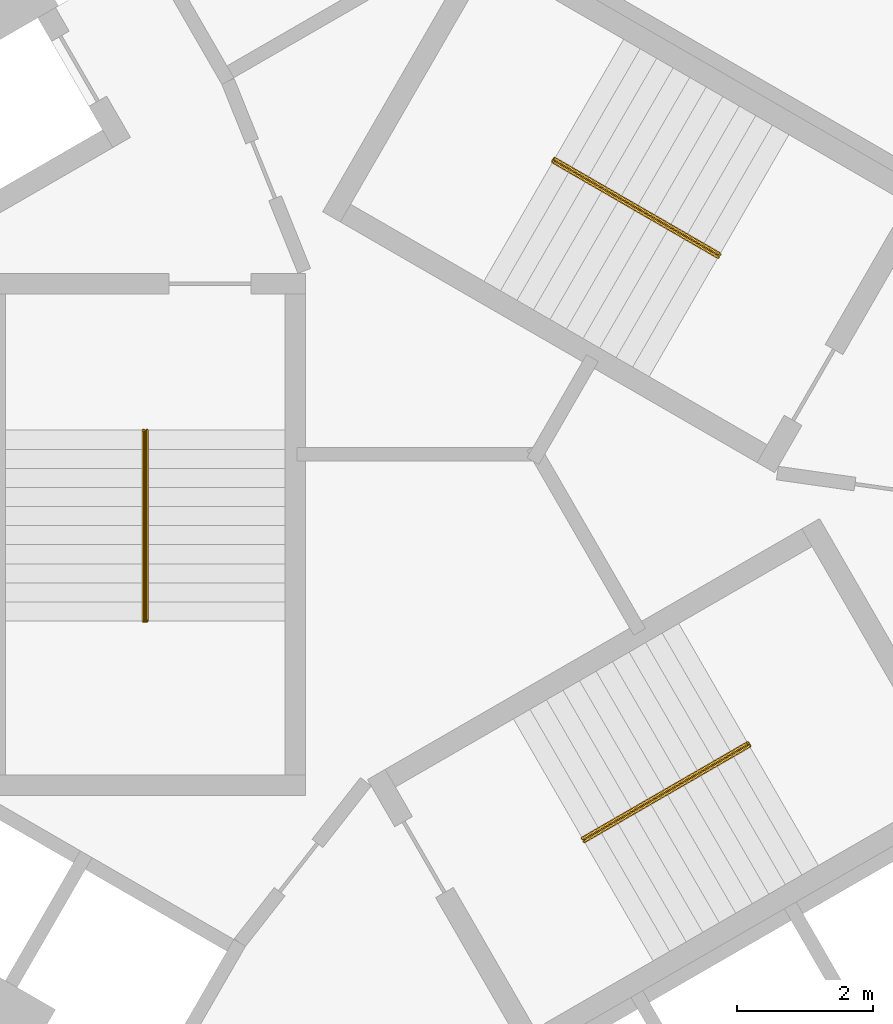
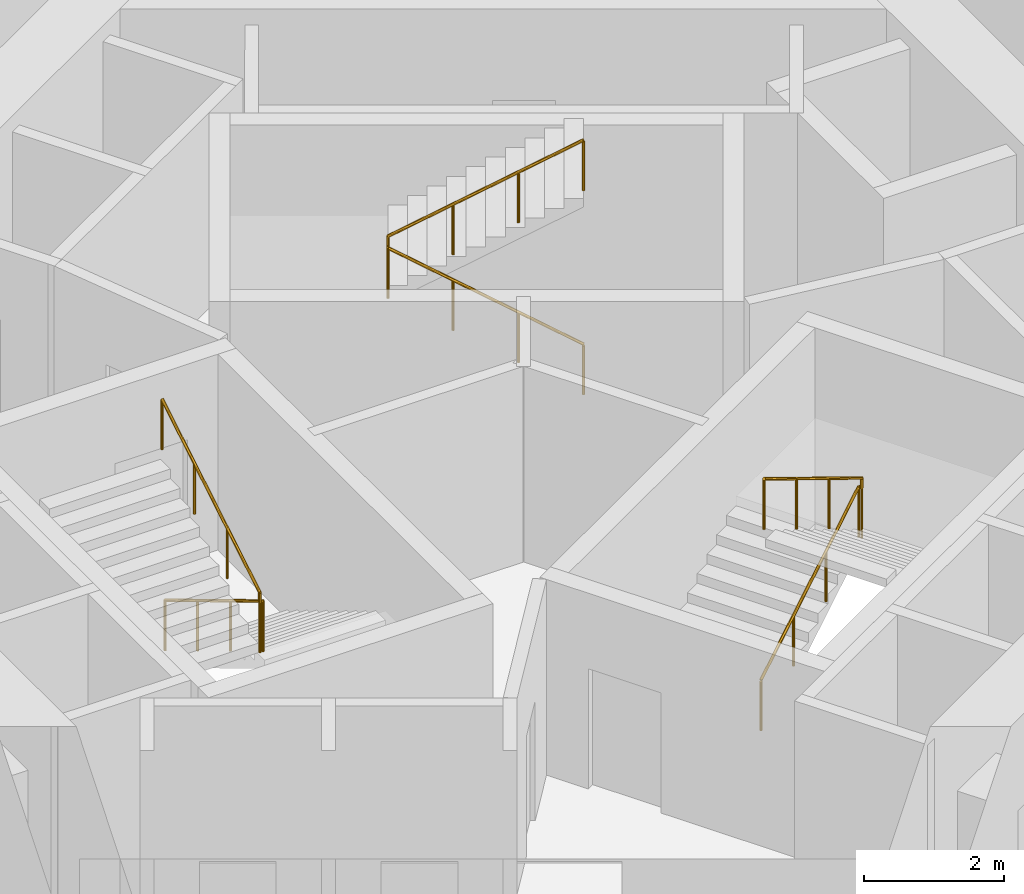
# One storey, part 11 of 11: 3 railings.
"""IFC4 building model written with IfcOpenShell, lengths in metres."""

import ifcopenshell
import ifcopenshell.guid

model = None  # the IFC model being written
_history = None  # IfcOwnerHistory: only IFC2X3 demands one
_inside = {}  # id of a spatial element -> (the spatial element, [elements in it])
_under = {}  # id of a project, library or spatial element -> (it, [spatial elements below it])
_declared = {}  # id of a project -> (the project, [libraries it declares])
_typed = {}  # id of a type object -> (the type object, [elements of that type])
_made_of = {}  # id of a material, layer set ... -> (it, [elements and type objects made of it])


def new_model(schema):
    """Start an empty IFC model of exactly this schema.

    Asked for "IFC4X3", IfcOpenShell would pick the latest addendum, in which some entities
    have other attributes; the version numbers below select the first issue.
    IFC2X3 requires an IfcOwnerHistory on every rooted entity: one is made here for all.
    """
    global model, _history
    if schema == "IFC4X3":
        model = ifcopenshell.file(schema_version=(4, 3, 0, 0))
    else:
        model = ifcopenshell.file(schema=schema)
    _inside.clear()
    _under.clear()
    _declared.clear()
    _typed.clear()
    _made_of.clear()
    _history = None
    if model.schema == "IFC2X3":
        org = make("IfcOrganization", Name="unknown")
        user = make(
            "IfcPersonAndOrganization",
            ThePerson=make("IfcPerson", FamilyName="unknown"),
            TheOrganization=org,
        )
        app = make(
            "IfcApplication",
            ApplicationDeveloper=org,
            Version="unknown",
            ApplicationFullName="unknown",
            ApplicationIdentifier="unknown",
        )
        _history = make(
            "IfcOwnerHistory",
            OwningUser=user,
            OwningApplication=app,
            ChangeAction="ADDED",
            CreationDate=0,
        )
    return model


def make(cls, **values):
    """One entity of the class cls with the attributes given. An attribute that is None is left unset."""
    return model.create_entity(
        cls, **{name: value for name, value in values.items() if value is not None}
    )


def rooted(cls, **values):
    """An entity with a GlobalId (a new one), such as an element, a storey or a relation."""
    return make(cls, GlobalId=ifcopenshell.guid.new(), OwnerHistory=_history, **values)


def si_unit(unit_type, name, prefix=None):
    """IfcSIUnit, for example si_unit("LENGTHUNIT", "METRE", prefix="MILLI")."""
    return make("IfcSIUnit", UnitType=unit_type, Prefix=prefix, Name=name)


def assignment(units):
    """IfcUnitAssignment: the units of a project."""
    return None if units is None else make("IfcUnitAssignment", Units=units)


def point(xyz):
    """IfcCartesianPoint."""
    return None if xyz is None else make("IfcCartesianPoint", Coordinates=xyz)


def direction(xyz):
    """IfcDirection."""
    return None if xyz is None else make("IfcDirection", DirectionRatios=xyz)


def frame(location, z_axis=None, x_axis=None):
    """IfcAxis2Placement3D, a coordinate frame: its origin and axes. An axis left out is left unset."""
    return make(
        "IfcAxis2Placement3D",
        Location=point(location),
        Axis=direction(z_axis),
        RefDirection=direction(x_axis),
    )


def frame_2d(location, x_axis=None):
    """IfcAxis2Placement2D, a coordinate frame in the plane: its origin and x axis."""
    return make(
        "IfcAxis2Placement2D", Location=point(location), RefDirection=direction(x_axis)
    )


def origin():
    """The frame at (0, 0, 0) with its axes left unset."""
    return frame((0.0, 0.0, 0.0))


def origin_2d():
    """The frame at (0, 0) in the plane with its x axis left unset."""
    return frame_2d((0.0, 0.0))


def place(relative_to, where):
    """IfcLocalPlacement: puts the frame where relative to a parent placement (None: the world)."""
    return make(
        "IfcLocalPlacement", PlacementRelTo=relative_to, RelativePlacement=where
    )


def context(
    kind, dimensions, precision=None, world=None, true_north=None, identifier=None
):
    """IfcGeometricRepresentationContext, for example the 3D "Model" context."""
    return make(
        "IfcGeometricRepresentationContext",
        ContextIdentifier=identifier,
        ContextType=kind,
        CoordinateSpaceDimension=dimensions,
        Precision=precision,
        WorldCoordinateSystem=world,
        TrueNorth=true_north,
    )


def subcontext(parent, identifier, kind, view, scale=None):
    """IfcGeometricRepresentationSubContext, for example "Body" below "Model"."""
    return make(
        "IfcGeometricRepresentationSubContext",
        ContextIdentifier=identifier,
        ContextType=kind,
        ParentContext=parent,
        TargetScale=scale,
        TargetView=view,
    )


def project(units=None, contexts=None):
    """IfcProject with its units and contexts."""
    return rooted(
        "IfcProject",
        Name="project",
        RepresentationContexts=contexts,
        UnitsInContext=assignment(units),
    )


def spatial(cls, under=None, at=None, **own):
    """A site, building, storey or space (cls), placed at a placement, below another one or the project."""
    s = rooted(cls, ObjectPlacement=at, **own)
    if under is not None:
        _under.setdefault(under.id(), (under, []))[1].append(s)
    return s


def profile(cls, at=None, kind="AREA", **sizes):
    """A parametric profile (cls). Its sizes go by their IFC names, for example OverallWidth=200.0."""
    return make(cls, ProfileType=kind, Position=at, **sizes)


def circle(**sizes):
    """IfcCircleProfileDef."""
    return profile("IfcCircleProfileDef", **sizes)


def extrude(swept, where, along, depth):
    """IfcExtrudedAreaSolid: the profile swept, set in the frame where, extruded along a direction by depth."""
    return make(
        "IfcExtrudedAreaSolid",
        SweptArea=swept,
        Position=where,
        ExtrudedDirection=direction(along),
        Depth=depth,
    )


def shape(context_of_items, identifier, shape_type, items):
    """IfcShapeRepresentation: the items that make up one representation, for example the "Body"."""
    return make(
        "IfcShapeRepresentation",
        ContextOfItems=context_of_items,
        RepresentationIdentifier=identifier,
        RepresentationType=shape_type,
        Items=items,
    )


def material(Name=None, Category=None):
    """IfcMaterial."""
    return make("IfcMaterial", Name=Name, Category=Category)


def made_of(thing, what):
    """Note that an element or type object is made of a material, layer set ...; save() writes the relation."""
    if what is not None:
        _made_of.setdefault(what.id(), (what, []))[1].append(thing)
    return thing


def type_object(cls, material=None, **own):
    """A type object (cls), such as IfcWallType, which elements share."""
    return made_of(rooted(cls, **own), material)


def element(
    cls,
    number,
    at=None,
    inside=None,
    cuts=None,
    type_object=None,
    material=None,
    context=None,
    identifier="Body",
    shape_type=None,
    held_by="IfcProductDefinitionShape",
    body=None,
    shapes=None,
    **own,
):
    """One element of the class cls, such as IfcWall. Its Tag is "e" and its number.

    at: its placement. inside: the storey or other place that contains it. cuts: it is an
    opening in that element (IfcRelVoidsElement). A single representation is given by context,
    identifier, shape_type and body (its items); several are given by shapes. held_by: the class
    of the entity that holds the representations. save() writes the other relations.
    """
    e = rooted(cls, Tag="e%d" % number, ObjectPlacement=at, **own)
    if body is not None:
        shapes = [shape(context, identifier, shape_type, body)]
    if shapes is not None:
        e.Representation = make(held_by, Representations=shapes)
    if inside is not None:
        _inside.setdefault(inside.id(), (inside, []))[1].append(e)
    if cuts is not None:
        rooted(
            "IfcRelVoidsElement", RelatingBuildingElement=cuts, RelatedOpeningElement=e
        )
    if type_object is not None:
        _typed.setdefault(type_object.id(), (type_object, []))[1].append(e)
    return made_of(e, material)


def aggregate(whole, parts):
    """IfcRelAggregates: a whole, such as a stair, and the parts it consists of."""
    return rooted("IfcRelAggregates", RelatingObject=whole, RelatedObjects=parts)


def save(model, path):
    """Write the relations noted so far, then the file.

    IfcRelAggregates (storeys below a building ...), IfcRelContainedInSpatialStructure (elements
    in a storey), IfcRelDefinesByType, IfcRelAssociatesMaterial and IfcRelDeclares: one each for
    every whole, place, type object, material and project.
    """
    for whole, parts in _under.values():
        aggregate(whole, parts)
    for where, things in _inside.values():
        rooted(
            "IfcRelContainedInSpatialStructure",
            RelatedElements=things,
            RelatingStructure=where,
        )
    for kind, things in _typed.values():
        rooted("IfcRelDefinesByType", RelatedObjects=things, RelatingType=kind)
    for what, things in _made_of.values():
        rooted("IfcRelAssociatesMaterial", RelatedObjects=things, RelatingMaterial=what)
    for by, libraries in _declared.values():
        rooted("IfcRelDeclares", RelatingContext=by, RelatedDefinitions=libraries)
    model.write(path)


model = new_model("IFC4")

# Units and contexts
model_context = context("Model", 3, precision=1e-05, world=origin(), true_north=direction((0.0, 1.0)))
body_context = subcontext(model_context, "Body", "Model", "MODEL_VIEW")
ifc_project = project(units=[si_unit("LENGTHUNIT", "METRE"), si_unit("AREAUNIT", "SQUARE_METRE"), si_unit("VOLUMEUNIT", "CUBIC_METRE"), si_unit("PLANEANGLEUNIT", "RADIAN"), si_unit("MASSUNIT", "GRAM", prefix="KILO")], contexts=[model_context])

# Site, building, storey
site_placement = place(None, origin())
site = spatial("IfcSite", under=ifc_project, at=site_placement, CompositionType="ELEMENT")
building_placement = place(site_placement, origin())
building = spatial("IfcBuilding", under=site, at=building_placement, Name="Vanh Sen Convention Tower", CompositionType="ELEMENT")
storey_placement = place(building_placement, frame((0.0, 0.0, 179.89990234375)))
storey = spatial("IfcBuildingStorey", under=building, at=storey_placement, Name="L44", CompositionType="ELEMENT", Elevation=179.89990234375)

# Railings
ifc_material = material(Name="Stainless steel handrail", Category="steel")
railing_type = type_object("IfcRailingType", Name="Stair handrail 900", PredefinedType="HANDRAIL", material=ifc_material)
railing_1_placement = place(storey_placement, frame((3.45849609375, 3.690185546875, 0.168212890625)))
element("IfcRailing", 1, at=railing_1_placement, inside=storey, type_object=railing_type, Name="Stair handrail ST1 L44", PredefinedType="HANDRAIL", context=body_context, shape_type="SweptSolid", body=[
    extrude(circle(Radius=0.02392578125, at=origin_2d()), frame((0.0, 0.0, 0.8759765625), z_axis=(-0.742390482028, 0.42860119049, 0.514934356695), x_axis=(-0.49998411664, -0.866034573852, 0.0)), (0.0, 0.0, 1.0), 3.26611328125),
    extrude(circle(Radius=0.02392578125, at=origin_2d()), frame((-2.4248046875, 1.39990234375, 2.5576171875), z_axis=(0.497188445666, 0.867642581652, 0.0), x_axis=(-0.867642581652, 0.497188445666, 0.0)), (0.0, 0.0, 1.0), 0.050048828125),
    extrude(circle(Radius=0.02392578125, at=origin_2d()), frame((-2.39990234375, 1.443359375, 2.5576171875), z_axis=(0.0, 0.0, 1.0), x_axis=(1.0, 0.0, 0.0)), (0.0, 0.0, 1.0), 0.168212890625),
    extrude(circle(Radius=0.02392578125, at=origin_2d()), frame((-2.39990234375, 1.443359375, 2.72607421875), z_axis=(0.742366697286, -0.42866220388, 0.514917859203), x_axis=(0.500049511043, 0.865996816683, 0.0)), (0.0, 0.0, 1.0), 3.266357421875),
    extrude(circle(Radius=0.02099609375, at=origin_2d()), origin(), (0.0, 0.0, 1.0), 0.851806640625),
    extrude(circle(Radius=0.02099609375, at=origin_2d()), frame((-0.808349609375, 0.466552734375, 0.560546875)), (0.0, 0.0, 1.0), 0.851806640625),
    extrude(circle(Radius=0.02099609375, at=origin_2d()), frame((-1.616455078125, 0.933349609375, 1.121337890625)), (0.0, 0.0, 1.0), 0.851806640625),
    extrude(circle(Radius=0.02099609375, at=origin_2d()), frame((-2.4248046875, 1.39990234375, 1.681884765625)), (0.0, 0.0, 1.0), 0.851806640625),
    extrude(circle(Radius=0.02099609375, at=origin_2d()), frame((-2.39990234375, 1.443359375, 1.681884765625)), (0.0, 0.0, 1.0), 0.851806640625),
    extrude(circle(Radius=0.02099609375, at=origin_2d()), frame((-2.39990234375, 1.443359375, 1.85009765625)), (0.0, 0.0, 1.0), 0.851806640625),
    extrude(circle(Radius=0.02099609375, at=origin_2d()), frame((-1.591552734375, 0.9765625, 2.41064453125)), (0.0, 0.0, 1.0), 0.851806640625),
    extrude(circle(Radius=0.02099609375, at=origin_2d()), frame((-0.783447265625, 0.510009765625, 2.971435546875)), (0.0, 0.0, 1.0), 0.851806640625),
    extrude(circle(Radius=0.02099609375, at=origin_2d()), frame((0.02490234375, 0.043212890625, 3.531982421875)), (0.0, 0.0, 1.0), 0.851806640625),
])
railing_2_placement = place(storey_placement, frame((-4.925048828125, 1.14990234375, 0.168212890625)))
element("IfcRailing", 2, at=railing_2_placement, inside=storey, type_object=railing_type, Name="Stair handrail ST2 L44", PredefinedType="HANDRAIL", context=body_context, shape_type="SweptSolid", body=[
    extrude(circle(Radius=0.02392578125, at=origin_2d()), frame((0.0, 0.0, 0.8759765625), z_axis=(0.0, -0.857222391501, 0.514946377315), x_axis=(1.0, 0.0, 0.0)), (0.0, 0.0, 1.0), 3.26611328125),
    extrude(circle(Radius=0.02392578125, at=origin_2d()), frame((0.0, -2.7998046875, 2.5576171875), z_axis=(-1.0, 0.0, 0.0), x_axis=(0.0, -1.0, 0.0)), (0.0, 0.0, 1.0), 0.050048828125),
    extrude(circle(Radius=0.02392578125, at=origin_2d()), frame((-0.050048828125, -2.7998046875, 2.5576171875), z_axis=(0.0, 0.0, 1.0), x_axis=(1.0, 0.0, 0.0)), (0.0, 0.0, 1.0), 0.168212890625),
    extrude(circle(Radius=0.02392578125, at=origin_2d()), frame((-0.050048828125, -2.7998046875, 2.72607421875), z_axis=(0.0, 0.857222391501, 0.514946377315), x_axis=(-1.0, 0.0, 0.0)), (0.0, 0.0, 1.0), 3.26611328125),
    extrude(circle(Radius=0.02099609375, at=origin_2d()), origin(), (0.0, 0.0, 1.0), 0.851806640625),
    extrude(circle(Radius=0.02099609375, at=origin_2d()), frame((0.0, -0.933349609375, 0.560546875)), (0.0, 0.0, 1.0), 0.851806640625),
    extrude(circle(Radius=0.02099609375, at=origin_2d()), frame((0.0, -1.866455078125, 1.121337890625)), (0.0, 0.0, 1.0), 0.851806640625),
    extrude(circle(Radius=0.02099609375, at=origin_2d()), frame((0.0, -2.7998046875, 1.681884765625)), (0.0, 0.0, 1.0), 0.851806640625),
    extrude(circle(Radius=0.02099609375, at=origin_2d()), frame((-0.050048828125, -2.7998046875, 1.681884765625)), (0.0, 0.0, 1.0), 0.851806640625),
    extrude(circle(Radius=0.02099609375, at=origin_2d()), frame((-0.050048828125, -2.7998046875, 1.85009765625)), (0.0, 0.0, 1.0), 0.851806640625),
    extrude(circle(Radius=0.02099609375, at=origin_2d()), frame((-0.050048828125, -1.866455078125, 2.41064453125)), (0.0, 0.0, 1.0), 0.851806640625),
    extrude(circle(Radius=0.02099609375, at=origin_2d()), frame((-0.050048828125, -0.933349609375, 2.971435546875)), (0.0, 0.0, 1.0), 0.851806640625),
    extrude(circle(Radius=0.02099609375, at=origin_2d()), frame((-0.050048828125, 0.0, 3.531982421875)), (0.0, 0.0, 1.0), 0.851806640625),
])
railing_3_placement = place(storey_placement, frame((1.466552734375, -4.840087890625, 0.168212890625)))
element("IfcRailing", 3, at=railing_3_placement, inside=storey, type_object=railing_type, Name="Stair handrail ST3 L44", PredefinedType="HANDRAIL", context=body_context, shape_type="SweptSolid", body=[
    extrude(circle(Radius=0.02392578125, at=origin_2d()), frame((0.0, 0.0, 0.8759765625), z_axis=(0.742390482028, 0.42860119049, 0.514934356695), x_axis=(-0.49998411664, 0.866034573852, 0.0)), (0.0, 0.0, 1.0), 3.26611328125),
    extrude(circle(Radius=0.02392578125, at=origin_2d()), frame((2.4248046875, 1.39990234375, 2.5576171875), z_axis=(0.502959906984, -0.86430974307, 0.0), x_axis=(0.86430974307, 0.502959906984, 0.0)), (0.0, 0.0, 1.0), 0.050048828125),
    extrude(circle(Radius=0.02392578125, at=origin_2d()), frame((2.449951171875, 1.356689453125, 2.5576171875), z_axis=(0.0, 0.0, 1.0), x_axis=(1.0, 0.0, 0.0)), (0.0, 0.0, 1.0), 0.168212890625),
    extrude(circle(Radius=0.02392578125, at=origin_2d()), frame((2.449951171875, 1.356689453125, 2.72607421875), z_axis=(-0.742366697286, -0.42866220388, 0.514917859203), x_axis=(0.500049511043, -0.865996816683, 0.0)), (0.0, 0.0, 1.0), 3.266357421875),
    extrude(circle(Radius=0.02099609375, at=origin_2d()), origin(), (0.0, 0.0, 1.0), 0.851806640625),
    extrude(circle(Radius=0.02099609375, at=origin_2d()), frame((0.808349609375, 0.466552734375, 0.560546875)), (0.0, 0.0, 1.0), 0.851806640625),
    extrude(circle(Radius=0.02099609375, at=origin_2d()), frame((1.616455078125, 0.933349609375, 1.121337890625)), (0.0, 0.0, 1.0), 0.851806640625),
    extrude(circle(Radius=0.02099609375, at=origin_2d()), frame((2.4248046875, 1.39990234375, 1.681884765625)), (0.0, 0.0, 1.0), 0.851806640625),
    extrude(circle(Radius=0.02099609375, at=origin_2d()), frame((2.449951171875, 1.356689453125, 1.681884765625)), (0.0, 0.0, 1.0), 0.851806640625),
    extrude(circle(Radius=0.02099609375, at=origin_2d()), frame((2.449951171875, 1.356689453125, 1.85009765625)), (0.0, 0.0, 1.0), 0.851806640625),
    extrude(circle(Radius=0.02099609375, at=origin_2d()), frame((1.6416015625, 0.889892578125, 2.41064453125)), (0.0, 0.0, 1.0), 0.851806640625),
    extrude(circle(Radius=0.02099609375, at=origin_2d()), frame((0.83349609375, 0.42333984375, 2.971435546875)), (0.0, 0.0, 1.0), 0.851806640625),
    extrude(circle(Radius=0.02099609375, at=origin_2d()), frame((0.025146484375, -0.04345703125, 3.531982421875)), (0.0, 0.0, 1.0), 0.851806640625),
])

save(model, "model.ifc")
